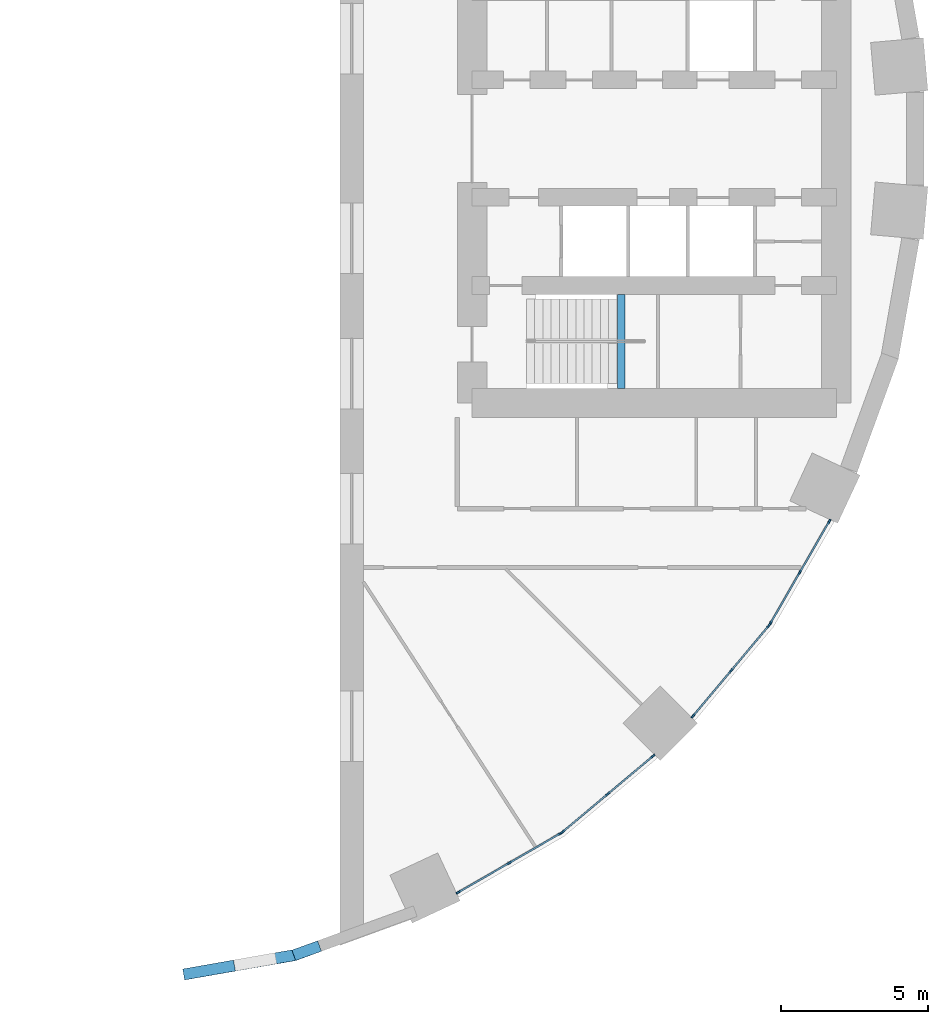
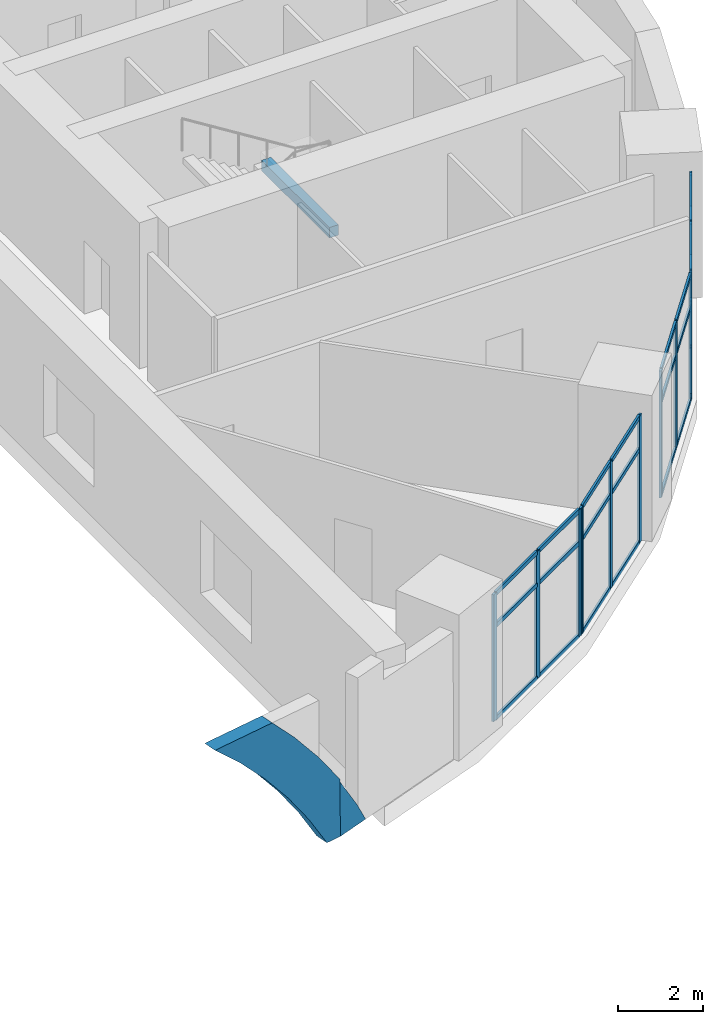
# One storey, part 3 of 13: 38 members, 1 beam, 4 elements without a shape of their own.
"""IFC4 building model written with IfcOpenShell, lengths in metres."""

import ifcopenshell
import ifcopenshell.guid

model = None  # the IFC model being written
_history = None  # IfcOwnerHistory: only IFC2X3 demands one
_inside = {}  # id of a spatial element -> (the spatial element, [elements in it])
_under = {}  # id of a project, library or spatial element -> (it, [spatial elements below it])
_declared = {}  # id of a project -> (the project, [libraries it declares])
_typed = {}  # id of a type object -> (the type object, [elements of that type])
_made_of = {}  # id of a material, layer set ... -> (it, [elements and type objects made of it])


def new_model(schema):
    """Start an empty IFC model of exactly this schema.

    Asked for "IFC4X3", IfcOpenShell would pick the latest addendum, in which some entities
    have other attributes; the version numbers below select the first issue.
    IFC2X3 requires an IfcOwnerHistory on every rooted entity: one is made here for all.
    """
    global model, _history
    if schema == "IFC4X3":
        model = ifcopenshell.file(schema_version=(4, 3, 0, 0))
    else:
        model = ifcopenshell.file(schema=schema)
    _inside.clear()
    _under.clear()
    _declared.clear()
    _typed.clear()
    _made_of.clear()
    _history = None
    if model.schema == "IFC2X3":
        org = make("IfcOrganization", Name="unknown")
        user = make(
            "IfcPersonAndOrganization",
            ThePerson=make("IfcPerson", FamilyName="unknown"),
            TheOrganization=org,
        )
        app = make(
            "IfcApplication",
            ApplicationDeveloper=org,
            Version="unknown",
            ApplicationFullName="unknown",
            ApplicationIdentifier="unknown",
        )
        _history = make(
            "IfcOwnerHistory",
            OwningUser=user,
            OwningApplication=app,
            ChangeAction="ADDED",
            CreationDate=0,
        )
    return model


def make(cls, **values):
    """One entity of the class cls with the attributes given. An attribute that is None is left unset."""
    return model.create_entity(
        cls, **{name: value for name, value in values.items() if value is not None}
    )


def rooted(cls, **values):
    """An entity with a GlobalId (a new one), such as an element, a storey or a relation."""
    return make(cls, GlobalId=ifcopenshell.guid.new(), OwnerHistory=_history, **values)


def si_unit(unit_type, name, prefix=None):
    """IfcSIUnit, for example si_unit("LENGTHUNIT", "METRE", prefix="MILLI")."""
    return make("IfcSIUnit", UnitType=unit_type, Prefix=prefix, Name=name)


def assignment(units):
    """IfcUnitAssignment: the units of a project."""
    return None if units is None else make("IfcUnitAssignment", Units=units)


def point(xyz):
    """IfcCartesianPoint."""
    return None if xyz is None else make("IfcCartesianPoint", Coordinates=xyz)


def direction(xyz):
    """IfcDirection."""
    return None if xyz is None else make("IfcDirection", DirectionRatios=xyz)


def frame(location, z_axis=None, x_axis=None):
    """IfcAxis2Placement3D, a coordinate frame: its origin and axes. An axis left out is left unset."""
    return make(
        "IfcAxis2Placement3D",
        Location=point(location),
        Axis=direction(z_axis),
        RefDirection=direction(x_axis),
    )


def frame_2d(location, x_axis=None):
    """IfcAxis2Placement2D, a coordinate frame in the plane: its origin and x axis."""
    return make(
        "IfcAxis2Placement2D", Location=point(location), RefDirection=direction(x_axis)
    )


def origin():
    """The frame at (0, 0, 0) with its axes left unset."""
    return frame((0.0, 0.0, 0.0))


def origin_2d():
    """The frame at (0, 0) in the plane with its x axis left unset."""
    return frame_2d((0.0, 0.0))


def place(relative_to, where):
    """IfcLocalPlacement: puts the frame where relative to a parent placement (None: the world)."""
    return make(
        "IfcLocalPlacement", PlacementRelTo=relative_to, RelativePlacement=where
    )


def context(
    kind, dimensions, precision=None, world=None, true_north=None, identifier=None
):
    """IfcGeometricRepresentationContext, for example the 3D "Model" context."""
    return make(
        "IfcGeometricRepresentationContext",
        ContextIdentifier=identifier,
        ContextType=kind,
        CoordinateSpaceDimension=dimensions,
        Precision=precision,
        WorldCoordinateSystem=world,
        TrueNorth=true_north,
    )


def subcontext(parent, identifier, kind, view, scale=None):
    """IfcGeometricRepresentationSubContext, for example "Body" below "Model"."""
    return make(
        "IfcGeometricRepresentationSubContext",
        ContextIdentifier=identifier,
        ContextType=kind,
        ParentContext=parent,
        TargetScale=scale,
        TargetView=view,
    )


def project(units=None, contexts=None):
    """IfcProject with its units and contexts."""
    return rooted(
        "IfcProject",
        Name="project",
        RepresentationContexts=contexts,
        UnitsInContext=assignment(units),
    )


def spatial(cls, under=None, at=None, **own):
    """A site, building, storey or space (cls), placed at a placement, below another one or the project."""
    s = rooted(cls, ObjectPlacement=at, **own)
    if under is not None:
        _under.setdefault(under.id(), (under, []))[1].append(s)
    return s


def polyline(points):
    """IfcPolyline through the points."""
    return make("IfcPolyline", Points=[point(p) for p in points])


def profile(cls, at=None, kind="AREA", **sizes):
    """A parametric profile (cls). Its sizes go by their IFC names, for example OverallWidth=200.0."""
    return make(cls, ProfileType=kind, Position=at, **sizes)


def rectangle(**sizes):
    """IfcRectangleProfileDef."""
    return profile("IfcRectangleProfileDef", **sizes)


def hollow_rectangle(**sizes):
    """IfcRectangleHollowProfileDef."""
    return profile("IfcRectangleHollowProfileDef", **sizes)


def outline(outer, holes=None, kind="AREA"):
    """IfcArbitraryClosedProfileDef: a profile drawn as a closed curve; with holes, ...WithVoids."""
    if holes is None:
        return make("IfcArbitraryClosedProfileDef", ProfileType=kind, OuterCurve=outer)
    return make(
        "IfcArbitraryProfileDefWithVoids",
        ProfileType=kind,
        OuterCurve=outer,
        InnerCurves=holes,
    )


def extrude(swept, where, along, depth):
    """IfcExtrudedAreaSolid: the profile swept, set in the frame where, extruded along a direction by depth."""
    return make(
        "IfcExtrudedAreaSolid",
        SweptArea=swept,
        Position=where,
        ExtrudedDirection=direction(along),
        Depth=depth,
    )


def shape(context_of_items, identifier, shape_type, items):
    """IfcShapeRepresentation: the items that make up one representation, for example the "Body"."""
    return make(
        "IfcShapeRepresentation",
        ContextOfItems=context_of_items,
        RepresentationIdentifier=identifier,
        RepresentationType=shape_type,
        Items=items,
    )


def material(Name=None, Category=None):
    """IfcMaterial."""
    return make("IfcMaterial", Name=Name, Category=Category)


def layer(
    of_material, thickness, ventilated=None, Name=None, Category=None, Priority=None
):
    """IfcMaterialLayer: one layer of a wall or slab, of a material (None: an air gap)."""
    return make(
        "IfcMaterialLayer",
        Material=of_material,
        LayerThickness=thickness,
        IsVentilated=ventilated,
        Name=Name,
        Category=Category,
        Priority=Priority,
    )


def layer_set(layers, Name=None):
    """IfcMaterialLayerSet."""
    return make("IfcMaterialLayerSet", MaterialLayers=layers, LayerSetName=Name)


def material_profile(
    of_material, cross_section, Name=None, Category=None, Priority=None
):
    """IfcMaterialProfile: a cross section and its material."""
    return make(
        "IfcMaterialProfile",
        Name=Name,
        Material=of_material,
        Profile=cross_section,
        Priority=Priority,
        Category=Category,
    )


def profile_set(profiles, Name=None, composite=None):
    """IfcMaterialProfileSet."""
    return make(
        "IfcMaterialProfileSet",
        Name=Name,
        MaterialProfiles=profiles,
        CompositeProfile=composite,
    )


def made_of(thing, what):
    """Note that an element or type object is made of a material, layer set ...; save() writes the relation."""
    if what is not None:
        _made_of.setdefault(what.id(), (what, []))[1].append(thing)
    return thing


def type_object(cls, material=None, **own):
    """A type object (cls), such as IfcWallType, which elements share."""
    return made_of(rooted(cls, **own), material)


def element(
    cls,
    number,
    at=None,
    inside=None,
    cuts=None,
    type_object=None,
    material=None,
    context=None,
    identifier="Body",
    shape_type=None,
    held_by="IfcProductDefinitionShape",
    body=None,
    shapes=None,
    **own,
):
    """One element of the class cls, such as IfcWall. Its Tag is "e" and its number.

    at: its placement. inside: the storey or other place that contains it. cuts: it is an
    opening in that element (IfcRelVoidsElement). A single representation is given by context,
    identifier, shape_type and body (its items); several are given by shapes. held_by: the class
    of the entity that holds the representations. save() writes the other relations.
    """
    e = rooted(cls, Tag="e%d" % number, ObjectPlacement=at, **own)
    if body is not None:
        shapes = [shape(context, identifier, shape_type, body)]
    if shapes is not None:
        e.Representation = make(held_by, Representations=shapes)
    if inside is not None:
        _inside.setdefault(inside.id(), (inside, []))[1].append(e)
    if cuts is not None:
        rooted(
            "IfcRelVoidsElement", RelatingBuildingElement=cuts, RelatedOpeningElement=e
        )
    if type_object is not None:
        _typed.setdefault(type_object.id(), (type_object, []))[1].append(e)
    return made_of(e, material)


def aggregate(whole, parts):
    """IfcRelAggregates: a whole, such as a stair, and the parts it consists of."""
    return rooted("IfcRelAggregates", RelatingObject=whole, RelatedObjects=parts)


def save(model, path):
    """Write the relations noted so far, then the file.

    IfcRelAggregates (storeys below a building ...), IfcRelContainedInSpatialStructure (elements
    in a storey), IfcRelDefinesByType, IfcRelAssociatesMaterial and IfcRelDeclares: one each for
    every whole, place, type object, material and project.
    """
    for whole, parts in _under.values():
        aggregate(whole, parts)
    for where, things in _inside.values():
        rooted(
            "IfcRelContainedInSpatialStructure",
            RelatedElements=things,
            RelatingStructure=where,
        )
    for kind, things in _typed.values():
        rooted("IfcRelDefinesByType", RelatedObjects=things, RelatingType=kind)
    for what, things in _made_of.values():
        rooted("IfcRelAssociatesMaterial", RelatedObjects=things, RelatingMaterial=what)
    for by, libraries in _declared.values():
        rooted("IfcRelDeclares", RelatingContext=by, RelatedDefinitions=libraries)
    model.write(path)


model = new_model("IFC4")

# Units and contexts
model_context = context("Model", 3, precision=1e-05, world=origin(), true_north=direction((0.0, 1.0)))
body_context = subcontext(model_context, "Body", "Model", "MODEL_VIEW")
ifc_project = project(units=[si_unit("LENGTHUNIT", "METRE"), si_unit("AREAUNIT", "SQUARE_METRE"), si_unit("VOLUMEUNIT", "CUBIC_METRE"), si_unit("PLANEANGLEUNIT", "RADIAN"), si_unit("MASSUNIT", "GRAM", prefix="KILO")], contexts=[model_context])

# Site, building, storey
site_placement = place(None, origin())
site = spatial("IfcSite", under=ifc_project, at=site_placement, CompositionType="ELEMENT")
building_placement = place(site_placement, origin())
building = spatial("IfcBuilding", under=site, at=building_placement, Name="Saqina Gate Tower", CompositionType="ELEMENT")
storey_placement = place(building_placement, frame((0.0, 0.0, 13.39990234375)))
storey = spatial("IfcBuildingStorey", under=building, at=storey_placement, Name="L03", CompositionType="ELEMENT", Elevation=13.39990234375)

# Curtain wall, members
ifc_material_1 = material(Name="Aluminium glazing", Category="aluminium")
ifc_layer = layer(ifc_material_1, 0.159912109375)
ifc_layer_set = layer_set([ifc_layer], Name="CWT-1")
curtain_wall_type = type_object("IfcCurtainWallType", Name="CWT-1", PredefinedType="NOTDEFINED", material=ifc_layer_set)
curtain_wall_1_placement = place(storey_placement, origin())
curtain_wall_1 = element("IfcCurtainWall", 1, at=curtain_wall_1_placement, inside=storey, type_object=curtain_wall_type, Name="Podium shopfront facet 30", PredefinedType="NOTDEFINED")
ifc_material_2 = material(Name="Aluminium", Category="aluminium")
ifc_material_profile_1 = material_profile(ifc_material_2, rectangle(XDim=0.06005859375, YDim=0.159912109375, at=origin_2d()), Name="Aluminium 60x160")
ifc_profile_set_1 = profile_set([ifc_material_profile_1], Name="Aluminium")
member_type_1 = type_object("IfcMemberType", Name="CWT-1M", PredefinedType="MULLION", material=ifc_profile_set_1)
member_1_placement = place(storey_placement, frame((13.03466796875, -25.66015625, 0.0), z_axis=(0.0, 0.0, 1.0), x_axis=(-0.500013894893, 0.866017381415, 0.0)))
member_1 = element("IfcMember", 2, at=member_1_placement, type_object=member_type_1, Name="CW1-30 mullion 1", PredefinedType="MULLION", context=body_context, shape_type="SweptSolid", body=[
    extrude(rectangle(XDim=0.06005859375, YDim=0.159912109375, at=origin_2d()), origin(), (0.0, 0.0, 1.0), 3.650146484375),
])
member_2_placement = place(storey_placement, frame((14.770751953125, -24.65771484375, 0.0), z_axis=(0.0, 0.0, 1.0), x_axis=(-0.500013894893, 0.866017381415, 0.0)))
member_2 = element("IfcMember", 3, at=member_2_placement, type_object=member_type_1, Name="CW1-30 mullion 2", PredefinedType="MULLION", context=body_context, shape_type="SweptSolid", body=[
    extrude(rectangle(XDim=0.06005859375, YDim=0.159912109375, at=origin_2d()), origin(), (0.0, 0.0, 1.0), 3.650146484375),
])
member_3_placement = place(storey_placement, frame((16.5068359375, -23.655517578125, 0.0), z_axis=(0.0, 0.0, 1.0), x_axis=(-0.500013894893, 0.866017381415, 0.0)))
member_3 = element("IfcMember", 4, at=member_3_placement, type_object=member_type_1, Name="CW1-30 mullion 3", PredefinedType="MULLION", context=body_context, shape_type="SweptSolid", body=[
    extrude(rectangle(XDim=0.06005859375, YDim=0.159912109375, at=origin_2d()), origin(), (0.0, 0.0, 1.0), 3.650146484375),
])

curtain_wall_2_placement = place(storey_placement, origin())
curtain_wall_2 = element("IfcCurtainWall", 5, at=curtain_wall_2_placement, inside=storey, type_object=curtain_wall_type, Name="Podium shopfront facet 31", PredefinedType="NOTDEFINED")
member_4_placement = place(storey_placement, frame((16.583251953125, -23.601806640625, 0.0), z_axis=(0.0, 0.0, 1.0), x_axis=(-0.642779322911, 0.766051396473, 0.0)))
member_4 = element("IfcMember", 6, at=member_4_placement, type_object=member_type_1, Name="CW1-31 mullion 1", PredefinedType="MULLION", context=body_context, shape_type="SweptSolid", body=[
    extrude(rectangle(XDim=0.06005859375, YDim=0.159912109375, at=origin_2d()), origin(), (0.0, 0.0, 1.0), 3.650146484375),
])
member_5_placement = place(storey_placement, frame((18.118896484375, -22.3134765625, 0.0), z_axis=(0.0, 0.0, 1.0), x_axis=(-0.642779322911, 0.766051396473, 0.0)))
member_5 = element("IfcMember", 7, at=member_5_placement, type_object=member_type_1, Name="CW1-31 mullion 2", PredefinedType="MULLION", context=body_context, shape_type="SweptSolid", body=[
    extrude(rectangle(XDim=0.06005859375, YDim=0.159912109375, at=origin_2d()), origin(), (0.0, 0.0, 1.0), 3.650146484375),
])
member_6_placement = place(storey_placement, frame((19.654296875, -21.02490234375, 0.0), z_axis=(0.0, 0.0, 1.0), x_axis=(-0.642779322911, 0.766051396473, 0.0)))
member_6 = element("IfcMember", 8, at=member_6_placement, type_object=member_type_1, Name="CW1-31 mullion 3", PredefinedType="MULLION", context=body_context, shape_type="SweptSolid", body=[
    extrude(rectangle(XDim=0.06005859375, YDim=0.159912109375, at=origin_2d()), origin(), (0.0, 0.0, 1.0), 3.650146484375),
])

curtain_wall_3_placement = place(storey_placement, origin())
curtain_wall_3 = element("IfcCurtainWall", 9, at=curtain_wall_3_placement, inside=storey, type_object=curtain_wall_type, Name="Podium shopfront facet 32", PredefinedType="NOTDEFINED")
member_7_placement = place(storey_placement, frame((21.02490234375, -19.654296875, 0.0), z_axis=(0.0, 0.0, 1.0), x_axis=(-0.766051396473, 0.642779322911, 0.0)))
member_7 = element("IfcMember", 10, at=member_7_placement, type_object=member_type_1, Name="CW1-32 mullion 1", PredefinedType="MULLION", context=body_context, shape_type="SweptSolid", body=[
    extrude(rectangle(XDim=0.06005859375, YDim=0.159912109375, at=origin_2d()), origin(), (0.0, 0.0, 1.0), 3.650146484375),
])
member_8_placement = place(storey_placement, frame((22.3134765625, -18.118896484375, 0.0), z_axis=(0.0, 0.0, 1.0), x_axis=(-0.766051396473, 0.642779322911, 0.0)))
member_8 = element("IfcMember", 11, at=member_8_placement, type_object=member_type_1, Name="CW1-32 mullion 2", PredefinedType="MULLION", context=body_context, shape_type="SweptSolid", body=[
    extrude(rectangle(XDim=0.06005859375, YDim=0.159912109375, at=origin_2d()), origin(), (0.0, 0.0, 1.0), 3.650146484375),
])
member_9_placement = place(storey_placement, frame((23.601806640625, -16.583251953125, 0.0), z_axis=(0.0, 0.0, 1.0), x_axis=(-0.766051396473, 0.642779322911, 0.0)))
member_9 = element("IfcMember", 12, at=member_9_placement, type_object=member_type_1, Name="CW1-32 mullion 3", PredefinedType="MULLION", context=body_context, shape_type="SweptSolid", body=[
    extrude(rectangle(XDim=0.06005859375, YDim=0.159912109375, at=origin_2d()), origin(), (0.0, 0.0, 1.0), 3.650146484375),
])

curtain_wall_4_placement = place(storey_placement, origin())
curtain_wall_4 = element("IfcCurtainWall", 13, at=curtain_wall_4_placement, inside=storey, type_object=curtain_wall_type, Name="Podium shopfront facet 33", PredefinedType="NOTDEFINED")
member_10_placement = place(storey_placement, frame((23.655517578125, -16.5068359375, 0.0), z_axis=(0.0, 0.0, 1.0), x_axis=(-0.866017381415, 0.500013894893, 0.0)))
member_10 = element("IfcMember", 14, at=member_10_placement, type_object=member_type_1, Name="CW1-33 mullion 1", PredefinedType="MULLION", context=body_context, shape_type="SweptSolid", body=[
    extrude(rectangle(XDim=0.06005859375, YDim=0.159912109375, at=origin_2d()), origin(), (0.0, 0.0, 1.0), 3.650146484375),
])
member_11_placement = place(storey_placement, frame((24.65771484375, -14.770751953125, 0.0), z_axis=(0.0, 0.0, 1.0), x_axis=(-0.866017381415, 0.500013894893, 0.0)))
member_11 = element("IfcMember", 15, at=member_11_placement, type_object=member_type_1, Name="CW1-33 mullion 2", PredefinedType="MULLION", context=body_context, shape_type="SweptSolid", body=[
    extrude(rectangle(XDim=0.06005859375, YDim=0.159912109375, at=origin_2d()), origin(), (0.0, 0.0, 1.0), 3.650146484375),
])
member_12_placement = place(storey_placement, frame((25.66015625, -13.03466796875, 0.0), z_axis=(0.0, 0.0, 1.0), x_axis=(-0.866017381415, 0.500013894893, 0.0)))
member_12 = element("IfcMember", 16, at=member_12_placement, type_object=member_type_1, Name="CW1-33 mullion 3", PredefinedType="MULLION", context=body_context, shape_type="SweptSolid", body=[
    extrude(rectangle(XDim=0.06005859375, YDim=0.159912109375, at=origin_2d()), origin(), (0.0, 0.0, 1.0), 3.650146484375),
])

# Member
ifc_material_3 = material(Name="Aluminium", Category="aluminium")
ifc_material_profile_2 = material_profile(ifc_material_3, rectangle(XDim=0.06005859375, YDim=0.1201171875, at=origin_2d()), Name="Aluminium 60x120")
ifc_profile_set_2 = profile_set([ifc_material_profile_2], Name="Aluminium")
member_type_2 = type_object("IfcMemberType", Name="CWT-1T", PredefinedType="USERDEFINED", material=ifc_profile_set_2)
member_13_placement = place(storey_placement, frame((13.060791015625, -25.64501953125, 0.030029296875), z_axis=(0.866055964107, 0.499947064232, 0.0), x_axis=(-0.499947064232, 0.866055964107, 0.0)))
member_13 = element("IfcMember", 17, at=member_13_placement, type_object=member_type_2, Name="CW1-30 transom 1.1", ObjectType="TRANSOM", PredefinedType="USERDEFINED", context=body_context, shape_type="SweptSolid", body=[
    extrude(rectangle(XDim=0.06005859375, YDim=0.1201171875, at=origin_2d()), origin(), (0.0, 0.0, 1.0), 1.944580078125),
])

member_14_placement = place(storey_placement, frame((13.060791015625, -25.64501953125, 2.7001953125), z_axis=(0.866055964107, 0.499947064232, 0.0), x_axis=(-0.499947064232, 0.866055964107, 0.0)))
member_14 = element("IfcMember", 18, at=member_14_placement, type_object=member_type_2, Name="CW1-30 transom 1.2", ObjectType="TRANSOM", PredefinedType="USERDEFINED", context=body_context, shape_type="SweptSolid", body=[
    extrude(rectangle(XDim=0.06005859375, YDim=0.1201171875, at=origin_2d()), origin(), (0.0, 0.0, 1.0), 1.944580078125),
])

member_15_placement = place(storey_placement, frame((13.060791015625, -25.64501953125, 3.6201171875), z_axis=(0.866055964107, 0.499947064232, 0.0), x_axis=(-0.499947064232, 0.866055964107, 0.0)))
member_15 = element("IfcMember", 19, at=member_15_placement, type_object=member_type_2, Name="CW1-30 transom 1.3", ObjectType="TRANSOM", PredefinedType="USERDEFINED", context=body_context, shape_type="SweptSolid", body=[
    extrude(rectangle(XDim=0.06005859375, YDim=0.1201171875, at=origin_2d()), origin(), (0.0, 0.0, 1.0), 1.944580078125),
])

member_16_placement = place(storey_placement, frame((14.796630859375, -24.642822265625, 0.030029296875), z_axis=(0.866001600736, 0.500041225824, 0.0), x_axis=(-0.500041225824, 0.866001600736, 0.0)))
member_16 = element("IfcMember", 20, at=member_16_placement, type_object=member_type_2, Name="CW1-30 transom 2.1", ObjectType="TRANSOM", PredefinedType="USERDEFINED", context=body_context, shape_type="SweptSolid", body=[
    extrude(rectangle(XDim=0.06005859375, YDim=0.1201171875, at=origin_2d()), origin(), (0.0, 0.0, 1.0), 1.944580078125),
])

member_17_placement = place(storey_placement, frame((14.796630859375, -24.642822265625, 2.7001953125), z_axis=(0.866001600736, 0.500041225824, 0.0), x_axis=(-0.500041225824, 0.866001600736, 0.0)))
member_17 = element("IfcMember", 21, at=member_17_placement, type_object=member_type_2, Name="CW1-30 transom 2.2", ObjectType="TRANSOM", PredefinedType="USERDEFINED", context=body_context, shape_type="SweptSolid", body=[
    extrude(rectangle(XDim=0.06005859375, YDim=0.1201171875, at=origin_2d()), origin(), (0.0, 0.0, 1.0), 1.944580078125),
])

member_18_placement = place(storey_placement, frame((14.796630859375, -24.642822265625, 3.6201171875), z_axis=(0.866001600736, 0.500041225824, 0.0), x_axis=(-0.500041225824, 0.866001600736, 0.0)))
member_18 = element("IfcMember", 22, at=member_18_placement, type_object=member_type_2, Name="CW1-30 transom 2.3", ObjectType="TRANSOM", PredefinedType="USERDEFINED", context=body_context, shape_type="SweptSolid", body=[
    extrude(rectangle(XDim=0.06005859375, YDim=0.1201171875, at=origin_2d()), origin(), (0.0, 0.0, 1.0), 1.944580078125),
])

aggregate(curtain_wall_1, [member_1, member_2, member_3, member_13, member_14, member_15, member_16, member_17, member_18])

member_19_placement = place(storey_placement, frame((16.606201171875, -23.58251953125, 0.030029296875), z_axis=(0.766117756196, 0.642700228444, 0.0), x_axis=(-0.642700228444, 0.766117756196, 0.0)))
member_19 = element("IfcMember", 23, at=member_19_placement, type_object=member_type_2, Name="CW1-31 transom 1.1", ObjectType="TRANSOM", PredefinedType="USERDEFINED", context=body_context, shape_type="SweptSolid", body=[
    extrude(rectangle(XDim=0.06005859375, YDim=0.1201171875, at=origin_2d()), origin(), (0.0, 0.0, 1.0), 1.944580078125),
])

member_20_placement = place(storey_placement, frame((16.606201171875, -23.58251953125, 2.7001953125), z_axis=(0.766117756196, 0.642700228444, 0.0), x_axis=(-0.642700228444, 0.766117756196, 0.0)))
member_20 = element("IfcMember", 24, at=member_20_placement, type_object=member_type_2, Name="CW1-31 transom 1.2", ObjectType="TRANSOM", PredefinedType="USERDEFINED", context=body_context, shape_type="SweptSolid", body=[
    extrude(rectangle(XDim=0.06005859375, YDim=0.1201171875, at=origin_2d()), origin(), (0.0, 0.0, 1.0), 1.944580078125),
])

member_21_placement = place(storey_placement, frame((16.606201171875, -23.58251953125, 3.6201171875), z_axis=(0.766117756196, 0.642700228444, 0.0), x_axis=(-0.642700228444, 0.766117756196, 0.0)))
member_21 = element("IfcMember", 25, at=member_21_placement, type_object=member_type_2, Name="CW1-31 transom 1.3", ObjectType="TRANSOM", PredefinedType="USERDEFINED", context=body_context, shape_type="SweptSolid", body=[
    extrude(rectangle(XDim=0.06005859375, YDim=0.1201171875, at=origin_2d()), origin(), (0.0, 0.0, 1.0), 1.944580078125),
])

member_22_placement = place(storey_placement, frame((18.141845703125, -22.294189453125, 0.030029296875), z_axis=(0.76600406177, 0.642835731235, 0.0), x_axis=(-0.642835731235, 0.76600406177, 0.0)))
member_22 = element("IfcMember", 26, at=member_22_placement, type_object=member_type_2, Name="CW1-31 transom 2.1", ObjectType="TRANSOM", PredefinedType="USERDEFINED", context=body_context, shape_type="SweptSolid", body=[
    extrude(rectangle(XDim=0.06005859375, YDim=0.1201171875, at=origin_2d()), origin(), (0.0, 0.0, 1.0), 1.944580078125),
])

member_23_placement = place(storey_placement, frame((18.141845703125, -22.294189453125, 2.7001953125), z_axis=(0.76600406177, 0.642835731235, 0.0), x_axis=(-0.642835731235, 0.76600406177, 0.0)))
member_23 = element("IfcMember", 27, at=member_23_placement, type_object=member_type_2, Name="CW1-31 transom 2.2", ObjectType="TRANSOM", PredefinedType="USERDEFINED", context=body_context, shape_type="SweptSolid", body=[
    extrude(rectangle(XDim=0.06005859375, YDim=0.1201171875, at=origin_2d()), origin(), (0.0, 0.0, 1.0), 1.944580078125),
])

member_24_placement = place(storey_placement, frame((18.141845703125, -22.294189453125, 3.6201171875), z_axis=(0.76600406177, 0.642835731235, 0.0), x_axis=(-0.642835731235, 0.76600406177, 0.0)))
member_24 = element("IfcMember", 28, at=member_24_placement, type_object=member_type_2, Name="CW1-31 transom 2.3", ObjectType="TRANSOM", PredefinedType="USERDEFINED", context=body_context, shape_type="SweptSolid", body=[
    extrude(rectangle(XDim=0.06005859375, YDim=0.1201171875, at=origin_2d()), origin(), (0.0, 0.0, 1.0), 1.944580078125),
])

aggregate(curtain_wall_2, [member_4, member_5, member_6, member_19, member_20, member_21, member_22, member_23, member_24])

member_25_placement = place(storey_placement, frame((21.044189453125, -19.63134765625, 0.030029296875), z_axis=(0.642835731235, 0.76600406177, 0.0), x_axis=(-0.76600406177, 0.642835731235, 0.0)))
member_25 = element("IfcMember", 29, at=member_25_placement, type_object=member_type_2, Name="CW1-32 transom 1.1", ObjectType="TRANSOM", PredefinedType="USERDEFINED", context=body_context, shape_type="SweptSolid", body=[
    extrude(rectangle(XDim=0.06005859375, YDim=0.1201171875, at=origin_2d()), origin(), (0.0, 0.0, 1.0), 1.944580078125),
])

member_26_placement = place(storey_placement, frame((21.044189453125, -19.63134765625, 2.7001953125), z_axis=(0.642835731235, 0.76600406177, 0.0), x_axis=(-0.76600406177, 0.642835731235, 0.0)))
member_26 = element("IfcMember", 30, at=member_26_placement, type_object=member_type_2, Name="CW1-32 transom 1.2", ObjectType="TRANSOM", PredefinedType="USERDEFINED", context=body_context, shape_type="SweptSolid", body=[
    extrude(rectangle(XDim=0.06005859375, YDim=0.1201171875, at=origin_2d()), origin(), (0.0, 0.0, 1.0), 1.944580078125),
])

member_27_placement = place(storey_placement, frame((21.044189453125, -19.63134765625, 3.6201171875), z_axis=(0.642835731235, 0.76600406177, 0.0), x_axis=(-0.76600406177, 0.642835731235, 0.0)))
member_27 = element("IfcMember", 31, at=member_27_placement, type_object=member_type_2, Name="CW1-32 transom 1.3", ObjectType="TRANSOM", PredefinedType="USERDEFINED", context=body_context, shape_type="SweptSolid", body=[
    extrude(rectangle(XDim=0.06005859375, YDim=0.1201171875, at=origin_2d()), origin(), (0.0, 0.0, 1.0), 1.944580078125),
])

member_28_placement = place(storey_placement, frame((22.332763671875, -18.095947265625, 0.030029296875), z_axis=(0.642700228444, 0.766117756196, 0.0), x_axis=(-0.766117756196, 0.642700228444, 0.0)))
member_28 = element("IfcMember", 32, at=member_28_placement, type_object=member_type_2, Name="CW1-32 transom 2.1", ObjectType="TRANSOM", PredefinedType="USERDEFINED", context=body_context, shape_type="SweptSolid", body=[
    extrude(rectangle(XDim=0.06005859375, YDim=0.1201171875, at=origin_2d()), origin(), (0.0, 0.0, 1.0), 1.944580078125),
])

member_29_placement = place(storey_placement, frame((22.332763671875, -18.095947265625, 2.7001953125), z_axis=(0.642700228444, 0.766117756196, 0.0), x_axis=(-0.766117756196, 0.642700228444, 0.0)))
member_29 = element("IfcMember", 33, at=member_29_placement, type_object=member_type_2, Name="CW1-32 transom 2.2", ObjectType="TRANSOM", PredefinedType="USERDEFINED", context=body_context, shape_type="SweptSolid", body=[
    extrude(rectangle(XDim=0.06005859375, YDim=0.1201171875, at=origin_2d()), origin(), (0.0, 0.0, 1.0), 1.944580078125),
])

member_30_placement = place(storey_placement, frame((22.332763671875, -18.095947265625, 3.6201171875), z_axis=(0.642700228444, 0.766117756196, 0.0), x_axis=(-0.766117756196, 0.642700228444, 0.0)))
member_30 = element("IfcMember", 34, at=member_30_placement, type_object=member_type_2, Name="CW1-32 transom 2.3", ObjectType="TRANSOM", PredefinedType="USERDEFINED", context=body_context, shape_type="SweptSolid", body=[
    extrude(rectangle(XDim=0.06005859375, YDim=0.1201171875, at=origin_2d()), origin(), (0.0, 0.0, 1.0), 1.944580078125),
])

aggregate(curtain_wall_3, [member_7, member_8, member_9, member_25, member_26, member_27, member_28, member_29, member_30])

member_31_placement = place(storey_placement, frame((23.67041015625, -16.480712890625, 0.030029296875), z_axis=(0.500041225824, 0.866001600736, 0.0), x_axis=(-0.866001600736, 0.500041225824, 0.0)))
member_31 = element("IfcMember", 35, at=member_31_placement, type_object=member_type_2, Name="CW1-33 transom 1.1", ObjectType="TRANSOM", PredefinedType="USERDEFINED", context=body_context, shape_type="SweptSolid", body=[
    extrude(rectangle(XDim=0.06005859375, YDim=0.1201171875, at=origin_2d()), origin(), (0.0, 0.0, 1.0), 1.944580078125),
])

member_32_placement = place(storey_placement, frame((23.67041015625, -16.480712890625, 2.7001953125), z_axis=(0.500041225824, 0.866001600736, 0.0), x_axis=(-0.866001600736, 0.500041225824, 0.0)))
member_32 = element("IfcMember", 36, at=member_32_placement, type_object=member_type_2, Name="CW1-33 transom 1.2", ObjectType="TRANSOM", PredefinedType="USERDEFINED", context=body_context, shape_type="SweptSolid", body=[
    extrude(rectangle(XDim=0.06005859375, YDim=0.1201171875, at=origin_2d()), origin(), (0.0, 0.0, 1.0), 1.944580078125),
])

member_33_placement = place(storey_placement, frame((23.67041015625, -16.480712890625, 3.6201171875), z_axis=(0.500041225824, 0.866001600736, 0.0), x_axis=(-0.866001600736, 0.500041225824, 0.0)))
member_33 = element("IfcMember", 37, at=member_33_placement, type_object=member_type_2, Name="CW1-33 transom 1.3", ObjectType="TRANSOM", PredefinedType="USERDEFINED", context=body_context, shape_type="SweptSolid", body=[
    extrude(rectangle(XDim=0.06005859375, YDim=0.1201171875, at=origin_2d()), origin(), (0.0, 0.0, 1.0), 1.944580078125),
])

member_34_placement = place(storey_placement, frame((24.6728515625, -14.744873046875, 0.030029296875), z_axis=(0.499947064232, 0.866055964107, 0.0), x_axis=(-0.866055964107, 0.499947064232, 0.0)))
member_34 = element("IfcMember", 38, at=member_34_placement, type_object=member_type_2, Name="CW1-33 transom 2.1", ObjectType="TRANSOM", PredefinedType="USERDEFINED", context=body_context, shape_type="SweptSolid", body=[
    extrude(rectangle(XDim=0.06005859375, YDim=0.1201171875, at=origin_2d()), origin(), (0.0, 0.0, 1.0), 1.944580078125),
])

member_35_placement = place(storey_placement, frame((24.6728515625, -14.744873046875, 2.7001953125), z_axis=(0.499947064232, 0.866055964107, 0.0), x_axis=(-0.866055964107, 0.499947064232, 0.0)))
member_35 = element("IfcMember", 39, at=member_35_placement, type_object=member_type_2, Name="CW1-33 transom 2.2", ObjectType="TRANSOM", PredefinedType="USERDEFINED", context=body_context, shape_type="SweptSolid", body=[
    extrude(rectangle(XDim=0.06005859375, YDim=0.1201171875, at=origin_2d()), origin(), (0.0, 0.0, 1.0), 1.944580078125),
])

member_36_placement = place(storey_placement, frame((24.6728515625, -14.744873046875, 3.6201171875), z_axis=(0.499947064232, 0.866055964107, 0.0), x_axis=(-0.866055964107, 0.499947064232, 0.0)))
member_36 = element("IfcMember", 40, at=member_36_placement, type_object=member_type_2, Name="CW1-33 transom 2.3", ObjectType="TRANSOM", PredefinedType="USERDEFINED", context=body_context, shape_type="SweptSolid", body=[
    extrude(rectangle(XDim=0.06005859375, YDim=0.1201171875, at=origin_2d()), origin(), (0.0, 0.0, 1.0), 1.944580078125),
])

aggregate(curtain_wall_4, [member_10, member_11, member_12, member_31, member_32, member_33, member_34, member_35, member_36])

# Beam
ifc_material_4 = material(Name="Concrete C40/50", Category="concrete")
ifc_material_profile_3 = material_profile(ifc_material_4, rectangle(XDim=0.25, YDim=0.300048828125, at=origin_2d()), Name="STAIR LANDING BEAM")
ifc_profile_set_3 = profile_set([ifc_material_profile_3], Name="Concrete C40/50")
beam_type = type_object("IfcBeamType", Name="STAIR LANDING BEAM", PredefinedType="BEAM", material=ifc_profile_set_3)
beam_placement = place(storey_placement, frame((18.580078125, -8.5, 1.7001953125), z_axis=(0.0, 1.0, 0.0), x_axis=(-1.0, 0.0, 0.0)))
element("IfcBeam", 41, at=beam_placement, inside=storey, type_object=beam_type, Name="EXIT STAIR 2 LANDING BEAM", PredefinedType="BEAM", context=body_context, shape_type="SweptSolid", body=[
    extrude(rectangle(XDim=0.25, YDim=0.300048828125, at=origin_2d()), origin(), (0.0, 0.0, 1.0), 3.199951171875),
])

# Members
ifc_material_5 = material(Name="Steel S355", Category="steel")
ifc_material_profile_4 = material_profile(ifc_material_5, hollow_rectangle(XDim=1.199951171875, YDim=0.3798828125, WallThickness=0.030029296875, at=origin_2d()), Name="BOX 1200x380x30")
ifc_profile_set_4 = profile_set([ifc_material_profile_4], Name="Steel S355")
member_type_3 = type_object("IfcMemberType", Name="STR-ARCH RIB-BOX 1200x380x30", PredefinedType="USERDEFINED", material=ifc_profile_set_4)
member_37_placement = place(storey_placement, frame((7.098388671875, -28.056396484375, 0.0), z_axis=(0.173663688926, -0.984802981162, 0.002002858604), x_axis=(-0.508731216594, -0.087969730804, 0.856419217279)))
element("IfcMember", 42, at=member_37_placement, inside=storey, type_object=member_type_3, Name="ARCH RIB S L03 facet 28", ObjectType="ARCH RIB", PredefinedType="USERDEFINED", context=body_context, shape_type="SweptSolid", body=[
    extrude(outline(polyline([(0.0, 0.0), (1.0764295260787176, -1.1102230246251565e-16), (2.1777219385506665, 0.0790739507937952), (3.2719232234619637, 0.23718017459863527), (4.353175203559057, 0.47311081050048887), (5.370180963465612, 0.7727068160394057), (4.463757948403258, -0.7309005562483302), (3.4858547857319517, -0.9443517882550404), (2.3066628331472216, -1.1148172508934875), (1.1902095904072896, -1.1949241801096417), (-0.21105883003614517, -0.35011220819973615), (0.0, 0.0)])), origin(), (0.0, 0.0, -1.0), 0.3798828125),
])
member_38_placement = place(storey_placement, frame((7.49658203125, -27.986572265625, 0.0), z_axis=(0.342017327314, -0.939691469449, 0.002022390052), x_axis=(-0.000641170952, 0.001918815267, 0.999997953522)))
element("IfcMember", 43, at=member_38_placement, inside=storey, type_object=member_type_3, Name="ARCH RIB S L03 facet 29", ObjectType="ARCH RIB", PredefinedType="USERDEFINED", context=body_context, shape_type="SweptSolid", body=[
    extrude(outline(polyline([(0.0, 0.0), (1.5686065531847062, -1.4907779871675686e-19), (0.5801128722491548, -0.6241967596071537), (5.000134169734873e-05, -0.9332022012938985), (0.0, 0.0)])), origin(), (0.0, 0.0, -1.0), 0.3798828125),
])

save(model, "model.ifc")
